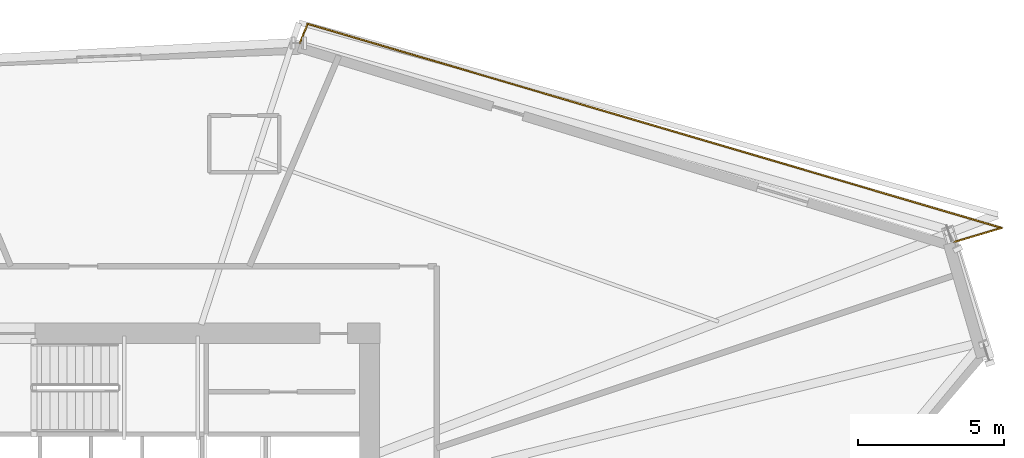
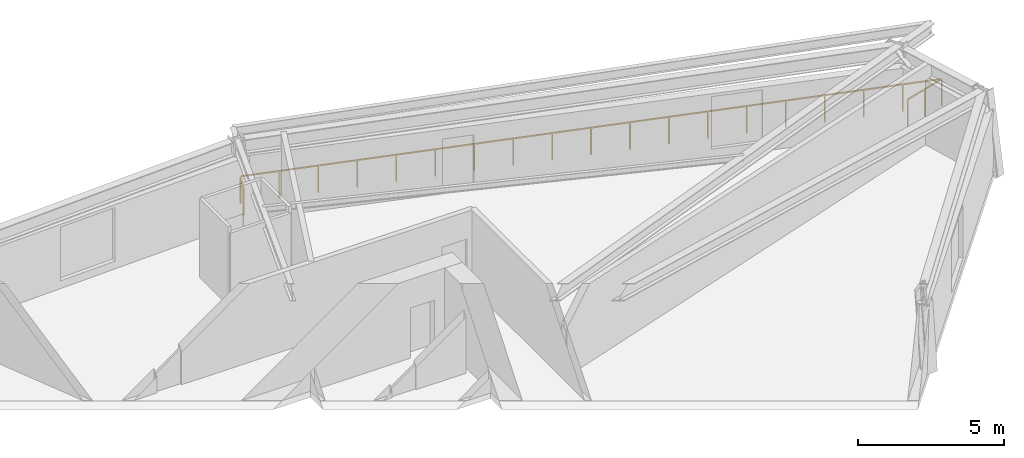
# One storey, part 19 of 19: 1 railing.
"""IFC4 building model written with IfcOpenShell, lengths in metres."""

from ifc_helpers import new_model, si_unit, direction, frame, origin, origin_2d, place, context, subcontext, project, spatial, rectangle, extrude, material, type_object, element, save


model = new_model("IFC4")

# Units and contexts
model_context = context("Model", 3, precision=1e-05, world=origin(), true_north=direction((0.0, 1.0)))
body_context = subcontext(model_context, "Body", "Model", "MODEL_VIEW")
ifc_project = project(units=[si_unit("LENGTHUNIT", "METRE"), si_unit("AREAUNIT", "SQUARE_METRE"), si_unit("VOLUMEUNIT", "CUBIC_METRE"), si_unit("PLANEANGLEUNIT", "RADIAN"), si_unit("MASSUNIT", "GRAM", prefix="KILO")], contexts=[model_context])

# Site, building, storey
site_placement = place(None, origin())
site = spatial("IfcSite", under=ifc_project, at=site_placement, CompositionType="ELEMENT")
building_placement = place(site_placement, origin())
building = spatial("IfcBuilding", under=site, at=building_placement, Name="Olszyna Solenne Hotel", CompositionType="ELEMENT")
storey_placement = place(building_placement, frame((0.0, 0.0, 102.14990234375)))
storey = spatial("IfcBuildingStorey", under=building, at=storey_placement, Name="L26", CompositionType="ELEMENT", Elevation=102.14990234375)

# Railing
ifc_material = material(Name="Anodised bronze aluminium", Category="aluminium")
railing_type = type_object("IfcRailingType", Name="GR-110", PredefinedType="BALUSTRADE", material=ifc_material)
railing_placement = place(storey_placement, frame((66.269775390625, 37.1787109375, 0.0)))
element("IfcRailing", 1, at=railing_placement, inside=storey, type_object=railing_type, Name="Loggia balcony balustrade guard GR-L26-LG1", PredefinedType="BALUSTRADE", context=body_context, shape_type="SweptSolid", body=[
    extrude(rectangle(XDim=0.048095703125, YDim=0.048095703125, at=origin_2d()), frame((0.0, 0.0, 1.1259765625), z_axis=(0.958222555417, 0.286023660367, 0.0), x_axis=(-0.286023660367, 0.958222555417, 0.0)), (0.0, 0.0, 1.0), 1.691650390625),
    extrude(rectangle(XDim=0.048095703125, YDim=0.048095703125, at=origin_2d()), frame((1.62109375, 0.48388671875, 1.1259765625), z_axis=(-0.95938056759, 0.282115094474, 0.0), x_axis=(-0.282115094474, -0.95938056759, 0.0)), (0.0, 0.0, 1.0), 24.769287109375),
    extrude(rectangle(XDim=0.048095703125, YDim=0.048095703125, at=origin_2d()), frame((-22.14208984375, 7.4716796875, 1.1259765625), z_axis=(-0.368600082414, -0.929588069655, 0.0), x_axis=(0.929588069655, -0.368600082414, 0.0)), (0.0, 0.0, 1.0), 0.70947265625),
    extrude(rectangle(XDim=0.0419921875, YDim=0.0419921875, at=origin_2d()), origin(), (0.0, 0.0, 1.0), 1.101806640625),
    extrude(rectangle(XDim=0.0419921875, YDim=0.0419921875, at=origin_2d()), frame((0.810546875, 0.241943359375, 0.0)), (0.0, 0.0, 1.0), 1.101806640625),
    extrude(rectangle(XDim=0.0419921875, YDim=0.0419921875, at=origin_2d()), frame((1.62109375, 0.48388671875, 0.0)), (0.0, 0.0, 1.0), 1.101806640625),
    extrude(rectangle(XDim=0.0419921875, YDim=0.0419921875, at=origin_2d()), frame((0.301025390625, 0.8720703125, 0.0)), (0.0, 0.0, 1.0), 1.101806640625),
    extrude(rectangle(XDim=0.0419921875, YDim=0.0419921875, at=origin_2d()), frame((-1.019287109375, 1.26025390625, 0.0)), (0.0, 0.0, 1.0), 1.101806640625),
    extrude(rectangle(XDim=0.0419921875, YDim=0.0419921875, at=origin_2d()), frame((-2.33935546875, 1.6484375, 0.0)), (0.0, 0.0, 1.0), 1.101806640625),
    extrude(rectangle(XDim=0.0419921875, YDim=0.0419921875, at=origin_2d()), frame((-3.65966796875, 2.03662109375, 0.0)), (0.0, 0.0, 1.0), 1.101806640625),
    extrude(rectangle(XDim=0.0419921875, YDim=0.0419921875, at=origin_2d()), frame((-4.979736328125, 2.425048828125, 0.0)), (0.0, 0.0, 1.0), 1.101806640625),
    extrude(rectangle(XDim=0.0419921875, YDim=0.0419921875, at=origin_2d()), frame((-6.300048828125, 2.813232421875, 0.0)), (0.0, 0.0, 1.0), 1.101806640625),
    extrude(rectangle(XDim=0.0419921875, YDim=0.0419921875, at=origin_2d()), frame((-7.6201171875, 3.201416015625, 0.0)), (0.0, 0.0, 1.0), 1.101806640625),
    extrude(rectangle(XDim=0.0419921875, YDim=0.0419921875, at=origin_2d()), frame((-8.9404296875, 3.589599609375, 0.0)), (0.0, 0.0, 1.0), 1.101806640625),
    extrude(rectangle(XDim=0.0419921875, YDim=0.0419921875, at=origin_2d()), frame((-10.260498046875, 3.977783203125, 0.0)), (0.0, 0.0, 1.0), 1.101806640625),
    extrude(rectangle(XDim=0.0419921875, YDim=0.0419921875, at=origin_2d()), frame((-11.58056640625, 4.365966796875, 0.0)), (0.0, 0.0, 1.0), 1.101806640625),
    extrude(rectangle(XDim=0.0419921875, YDim=0.0419921875, at=origin_2d()), frame((-12.90087890625, 4.754150390625, 0.0)), (0.0, 0.0, 1.0), 1.101806640625),
    extrude(rectangle(XDim=0.0419921875, YDim=0.0419921875, at=origin_2d()), frame((-14.220947265625, 5.142333984375, 0.0)), (0.0, 0.0, 1.0), 1.101806640625),
    extrude(rectangle(XDim=0.0419921875, YDim=0.0419921875, at=origin_2d()), frame((-15.541259765625, 5.530517578125, 0.0)), (0.0, 0.0, 1.0), 1.101806640625),
    extrude(rectangle(XDim=0.0419921875, YDim=0.0419921875, at=origin_2d()), frame((-16.861328125, 5.9189453125, 0.0)), (0.0, 0.0, 1.0), 1.101806640625),
    extrude(rectangle(XDim=0.0419921875, YDim=0.0419921875, at=origin_2d()), frame((-18.181640625, 6.30712890625, 0.0)), (0.0, 0.0, 1.0), 1.101806640625),
    extrude(rectangle(XDim=0.0419921875, YDim=0.0419921875, at=origin_2d()), frame((-19.501708984375, 6.6953125, 0.0)), (0.0, 0.0, 1.0), 1.101806640625),
    extrude(rectangle(XDim=0.0419921875, YDim=0.0419921875, at=origin_2d()), frame((-20.822021484375, 7.08349609375, 0.0)), (0.0, 0.0, 1.0), 1.101806640625),
    extrude(rectangle(XDim=0.0419921875, YDim=0.0419921875, at=origin_2d()), frame((-22.14208984375, 7.4716796875, 0.0)), (0.0, 0.0, 1.0), 1.101806640625),
    extrude(rectangle(XDim=0.0419921875, YDim=0.0419921875, at=origin_2d()), frame((-22.403564453125, 6.812255859375, 0.0)), (0.0, 0.0, 1.0), 1.101806640625),
])

save(model, "model.ifc")
